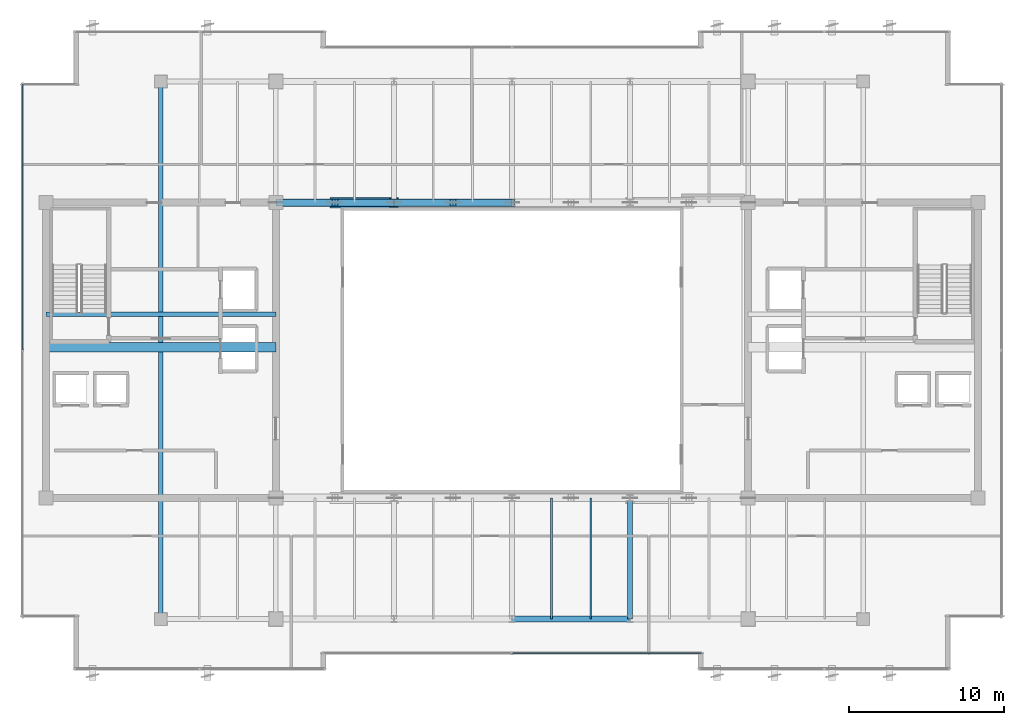
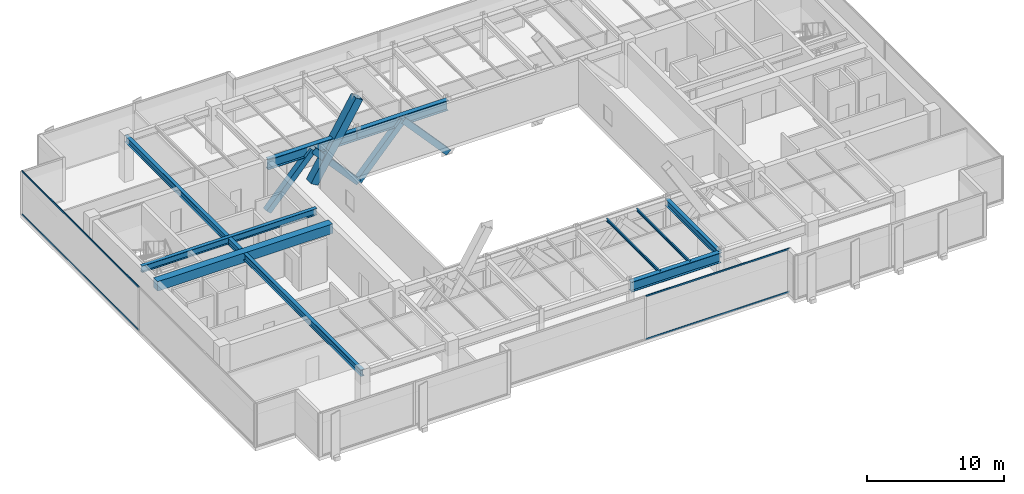
# One storey, part 10 of 32: 9 beams, 9 members, 2 elements without a shape of their own.
"""IFC4 building model written with IfcOpenShell, lengths in metres."""

from ifc_helpers import new_model, si_unit, direction, frame, origin, origin_2d, place, context, subcontext, project, spatial, rectangle, hollow_rectangle, i_section, extrude, source, transform, mapped, material, layer, layer_set, material_profile, profile_set, type_object, type_shapes, element, aggregate, save


model = new_model("IFC4")

# Units and contexts
model_context = context("Model", 3, precision=1e-05, world=origin(), true_north=direction((0.0, 1.0)))
body_context = subcontext(model_context, "Body", "Model", "MODEL_VIEW")
ifc_project = project(units=[si_unit("LENGTHUNIT", "METRE"), si_unit("AREAUNIT", "SQUARE_METRE"), si_unit("VOLUMEUNIT", "CUBIC_METRE"), si_unit("PLANEANGLEUNIT", "RADIAN"), si_unit("MASSUNIT", "GRAM", prefix="KILO")], contexts=[model_context])

# Site, building, storey
site_placement = place(None, origin())
site = spatial("IfcSite", under=ifc_project, at=site_placement, CompositionType="ELEMENT")
building_placement = place(site_placement, origin())
building = spatial("IfcBuilding", under=site, at=building_placement, Name="Haelvirn Gate Laboratories", CompositionType="ELEMENT")
storey_placement = place(building_placement, frame((0.0, 0.0, 306.0)))
storey = spatial("IfcBuildingStorey", under=building, at=storey_placement, Name="L73", CompositionType="ELEMENT", Elevation=306.0)

# Beams
ifc_material_1 = material(Name="Steel SM355", Category="steel")
ifc_material_profile_1 = material_profile(ifc_material_1, i_section(OverallWidth=0.300048828125, OverallDepth=0.587890625, WebThickness=0.011962890625, FlangeThickness=0.02001953125, at=origin_2d()), Name="H-588x300x12x20")
ifc_profile_set_1 = profile_set([ifc_material_profile_1], Name="Steel SM355")
beam_type_1 = type_object("IfcBeamType", Name="BM-G-588", PredefinedType="BEAM", material=ifc_profile_set_1)
shared_shape_1 = source(origin(), body_context, "Body", "SweptSolid", [
    extrude(i_section(OverallWidth=0.300048828125, OverallDepth=0.587890625, WebThickness=0.011962890625, FlangeThickness=0.02001953125, at=origin_2d()), origin(), (0.0, 0.0, 1.0), 14.800048828125),
])
beam_1_placement = place(storey_placement, frame((7.39990234375, 26.6201171875, 3.60595703125), z_axis=(1.0, 0.0, 0.0), x_axis=(0.0, 1.0, 0.0)))
element("IfcBeam", 1, at=beam_1_placement, inside=storey, type_object=beam_type_1, Name="L73 Stair ST1 Landing Header", PredefinedType="BEAM", context=body_context, shape_type="MappedRepresentation", body=[
    mapped(shared_shape_1, transform((0.0, 0.0, 0.0), scale=1.0)),
])
ifc_material_2 = material(Name="Steel SM420", Category="steel")
ifc_material_profile_2 = material_profile(ifc_material_2, i_section(OverallWidth=0.39990234375, OverallDepth=0.89990234375, WebThickness=0.01904296875, FlangeThickness=0.031982421875, at=origin_2d()), Name="H-900x400x19x32")
ifc_profile_set_2 = profile_set([ifc_material_profile_2], Name="Steel SM420")
beam_type_2 = type_object("IfcBeamType", Name="BM-TG-900", PredefinedType="BEAM", material=ifc_profile_set_2)
shared_shape_2 = source(origin(), body_context, "Body", "SweptSolid", [
    extrude(i_section(OverallWidth=0.39990234375, OverallDepth=0.89990234375, WebThickness=0.01904296875, FlangeThickness=0.031982421875, at=origin_2d()), origin(), (0.0, 0.0, 1.0), 7.60009765625),
])
for number, where, z_axis, x_axis, name in (
    (2, (37.39990234375, 7.0, 3.449951171875), (1.0, 0.0, 0.0), (0.0, 1.0, 0.0), "L73 Primary Girder Y7.0 (37.4-45.0)"),
    (3, (22.199951171875, 33.800048828125, 3.449951171875), (1.0, 0.0, 0.0), (0.0, 1.0, 0.0), "L73 Primary Girder Y33.8 (22.2-29.8)"),
):
    element("IfcBeam", number, at=place(storey_placement, frame(where, z_axis=z_axis, x_axis=x_axis)), inside=storey, type_object=beam_type_2, Name=name, PredefinedType="BEAM", context=body_context, shape_type="MappedRepresentation", body=[
        mapped(shared_shape_2, transform((0.0, 0.0, 0.0), scale=1.0)),
    ])
shared_shape_3 = source(origin(), body_context, "Body", "SweptSolid", [
    extrude(i_section(OverallWidth=0.39990234375, OverallDepth=0.89990234375, WebThickness=0.01904296875, FlangeThickness=0.031982421875, at=origin_2d()), origin(), (0.0, 0.0, 1.0), 7.599853515625),
])
type_shapes(beam_type_2, [shared_shape_2, shared_shape_3])
beam_2_placement = place(storey_placement, frame((29.800048828125, 33.800048828125, 3.449951171875), z_axis=(1.0, 0.0, 0.0), x_axis=(0.0, 1.0, 0.0)))
element("IfcBeam", 4, at=beam_2_placement, inside=storey, type_object=beam_type_2, Name="L73 Primary Girder Y33.8 (29.8-37.4)", PredefinedType="BEAM", context=body_context, shape_type="MappedRepresentation", body=[
    mapped(shared_shape_3, transform((0.0, 0.0, 0.0), scale=1.0)),
])
shared_shape_4 = source(origin(), body_context, "Body", "SweptSolid", [
    extrude(i_section(OverallWidth=0.300048828125, OverallDepth=0.587890625, WebThickness=0.011962890625, FlangeThickness=0.02001953125, at=origin_2d()), origin(), (0.0, 0.0, 1.0), 34.60009765625),
])
beam_3_placement = place(storey_placement, frame((14.800048828125, 7.0, 3.60595703125), z_axis=(0.0, 1.0, 0.0), x_axis=(-1.0, 0.0, 0.0)))
element("IfcBeam", 5, at=beam_3_placement, inside=storey, type_object=beam_type_1, Name="L73 Frame Girder X14.8 (7.0-41.6)", PredefinedType="BEAM", context=body_context, shape_type="MappedRepresentation", body=[
    mapped(shared_shape_4, transform((0.0, 0.0, 0.0), scale=1.0)),
])
shared_shape_5 = source(origin(), body_context, "Body", "SweptSolid", [
    extrude(i_section(OverallWidth=0.300048828125, OverallDepth=0.587890625, WebThickness=0.011962890625, FlangeThickness=0.02001953125, at=origin_2d()), origin(), (0.0, 0.0, 1.0), 7.800048828125),
])
type_shapes(beam_type_1, [shared_shape_1, shared_shape_4, shared_shape_5])
beam_4_placement = place(storey_placement, frame((45.0, 7.0, 3.60595703125), z_axis=(0.0, 1.0, 0.0), x_axis=(-1.0, 0.0, 0.0)))
element("IfcBeam", 6, at=beam_4_placement, inside=storey, type_object=beam_type_1, Name="L73 Frame Girder X45.0 (7.0-14.8)", PredefinedType="BEAM", context=body_context, shape_type="MappedRepresentation", body=[
    mapped(shared_shape_5, transform((0.0, 0.0, 0.0), scale=1.0)),
])
ifc_material_3 = material(Name="Concrete C50/60", Category="concrete")
ifc_material_profile_3 = material_profile(ifc_material_3, rectangle(XDim=0.60009765625, YDim=0.85009765625, at=origin_2d()), Name="RCB-600x850")
ifc_profile_set_3 = profile_set([ifc_material_profile_3], Name="Concrete C50/60")
beam_type_3 = type_object("IfcBeamType", Name="BM-RCB-850", PredefinedType="LINTEL", material=ifc_profile_set_3)
shared_shape_6 = source(origin(), body_context, "Body", "SweptSolid", [
    extrude(rectangle(XDim=0.60009765625, YDim=0.85009765625, at=origin_2d()), origin(), (0.0, 0.0, 1.0), 14.800048828125),
])
type_shapes(beam_type_3, [shared_shape_6])
beam_5_placement = place(storey_placement, frame((7.39990234375, 24.5, 3.47509765625), z_axis=(1.0, 0.0, 0.0), x_axis=(0.0, 1.0, 0.0)))
element("IfcBeam", 7, at=beam_5_placement, inside=storey, type_object=beam_type_3, Name="L73 West Core Coupling Beam", PredefinedType="LINTEL", context=body_context, shape_type="MappedRepresentation", body=[
    mapped(shared_shape_6, transform((0.0, 0.0, 0.0), scale=1.0)),
])
ifc_material_profile_4 = material_profile(ifc_material_1, i_section(OverallWidth=0.125, OverallDepth=0.25, WebThickness=0.006103515625, FlangeThickness=0.009033203125, at=origin_2d()), Name="H-250x125x6x9")
ifc_profile_set_4 = profile_set([ifc_material_profile_4], Name="Steel SM355")
beam_type_4 = type_object("IfcBeamType", Name="BM-J-250", PredefinedType="JOIST", material=ifc_profile_set_4)
shared_shape_7 = source(origin(), body_context, "Body", "SweptSolid", [
    extrude(i_section(OverallWidth=0.125, OverallDepth=0.25, WebThickness=0.006103515625, FlangeThickness=0.009033203125, at=origin_2d()), origin(), (0.0, 0.0, 1.0), 7.800048828125),
])
type_shapes(beam_type_4, [shared_shape_7])
for number, where, z_axis, x_axis, name in (
    (8, (39.929931640625, 7.0, 3.77490234375), (0.0, 1.0, 0.0), (-1.0, 0.0, 0.0), "L73 Composite Lab Joist South X39.93"),
    (9, (42.469970703125, 7.0, 3.77490234375), (0.0, 1.0, 0.0), (-1.0, 0.0, 0.0), "L73 Composite Lab Joist South X42.47"),
):
    element("IfcBeam", number, at=place(storey_placement, frame(where, z_axis=z_axis, x_axis=x_axis)), inside=storey, type_object=beam_type_4, Name=name, PredefinedType="JOIST", context=body_context, shape_type="MappedRepresentation", body=[
        mapped(shared_shape_7, transform((0.0, 0.0, 0.0), scale=1.0)),
    ])

# Members
ifc_material_profile_5 = material_profile(ifc_material_2, hollow_rectangle(XDim=0.699951171875, YDim=0.699951171875, WallThickness=0.031982421875, at=origin_2d()), Name="BOX-700x700x32")
ifc_profile_set_5 = profile_set([ifc_material_profile_5], Name="Steel SM420")
member_type_1 = type_object("IfcMemberType", Name="MEM-ARCH-RIB", PredefinedType="CHORD", material=ifc_profile_set_5)
shared_shape_8 = source(origin(), body_context, "Body", "SweptSolid", [
    extrude(hollow_rectangle(XDim=0.699951171875, YDim=0.699951171875, WallThickness=0.031982421875, at=origin_2d()), origin(), (0.0, 0.0, 1.0), 7.38134765625),
])
type_shapes(member_type_1, [shared_shape_8])
member_1_placement = place(storey_placement, frame((26.0, 33.800048828125, 0.45947265625), z_axis=(0.51481187824, 0.0, 0.857303172759), x_axis=(0.0, 1.0, 0.0)))
element("IfcMember", 10, at=member_1_placement, inside=storey, type_object=member_type_1, Name="Parabolic Steel Arch Rib Y33.8 Seg 2", PredefinedType="CHORD", context=body_context, shape_type="MappedRepresentation", body=[
    mapped(shared_shape_8, transform((0.0, 0.0, 0.0), scale=1.0)),
])
ifc_material_profile_6 = material_profile(ifc_material_2, hollow_rectangle(XDim=0.5, YDim=0.5, WallThickness=0.02197265625, at=origin_2d()), Name="BOX-500x500x22")
ifc_profile_set_6 = profile_set([ifc_material_profile_6], Name="Steel SM420")
member_type_2 = type_object("IfcMemberType", Name="MEM-ARCH-WEB", PredefinedType="BRACE", material=ifc_profile_set_6)
shared_shape_9 = source(origin(), body_context, "Body", "SweptSolid", [
    extrude(hollow_rectangle(XDim=0.5, YDim=0.5, WallThickness=0.02197265625, at=origin_2d()), origin(), (0.0, 0.0, 1.0), 5.663818359375),
])
type_shapes(member_type_2, [shared_shape_9])
for number, where, z_axis, x_axis, name in (
    (11, (22.199951171875, 33.800048828125, -0.75), (0.670922353302, 0.0, 0.741527609628), (0.0, 1.0, 0.0), "L73 Arch Truss Chevron Web Y33.8-1A"),
    (12, (26.0, 33.800048828125, 3.449951171875), (0.670922353302, 0.0, -0.741527609628), (0.0, 1.0, 0.0), "L73 Arch Truss Chevron Web Y33.8-1B"),
    (13, (29.800048828125, 33.800048828125, -0.75), (0.670922353302, 0.0, 0.741527609628), (0.0, 1.0, 0.0), "L73 Arch Truss Chevron Web Y33.8-2A"),
    (14, (33.60009765625, 33.800048828125, 3.449951171875), (0.670898650667, 0.0, -0.741549054705), (0.0, 1.0, 0.0), "L73 Arch Truss Chevron Web Y33.8-2B"),
):
    element("IfcMember", number, at=place(storey_placement, frame(where, z_axis=z_axis, x_axis=x_axis)), inside=storey, type_object=member_type_2, Name=name, PredefinedType="BRACE", context=body_context, shape_type="MappedRepresentation", body=[
        mapped(shared_shape_9, transform((0.0, 0.0, 0.0), scale=1.0)),
    ])

# Curtain wall, members
ifc_material_4 = material(Name="Anodised bronze unitised aluminium & triple low-E glass", Category="aluminium")
ifc_layer = layer(ifc_material_4, 0.176025390625, Name="CW-SYS-4")
ifc_layer_set = layer_set([ifc_layer], Name="Anodised bronze unitised aluminium & triple low-E glass")
curtain_wall_type = type_object("IfcCurtainWallType", Name="CW-SYS-4", PredefinedType="NOTDEFINED", material=ifc_layer_set)
curtain_wall_1_placement = place(storey_placement, origin())
curtain_wall_1 = element("IfcCurtainWall", 15, at=curtain_wall_1_placement, inside=storey, type_object=curtain_wall_type, Name="L73 Unitised Curtain Wall CW-L73-P0-E02-1", PredefinedType="NOTDEFINED")
ifc_material_5 = material(Name="Extruded aluminium 6063-T6 (anodised bronze)", Category="aluminium")
ifc_material_profile_7 = material_profile(ifc_material_5, hollow_rectangle(XDim=0.06494140625, YDim=0.139892578125, WallThickness=0.00390625, at=origin_2d()), Name="CWT-140x65x4")
ifc_profile_set_7 = profile_set([ifc_material_profile_7], Name="Extruded aluminium 6063-T6 (anodised bronze)")
member_type_3 = type_object("IfcMemberType", Name="CWT-T140", PredefinedType="USERDEFINED", material=ifc_profile_set_7)
shared_shape_10 = source(origin(), body_context, "Body", "SweptSolid", [
    extrude(hollow_rectangle(XDim=0.06494140625, YDim=0.139892578125, WallThickness=0.00390625, at=origin_2d()), origin(), (0.0, 0.0, 1.0), 12.135009765625),
])
member_2_placement = place(storey_placement, frame((37.43505859375, 4.800048828125, 0.032470703125), z_axis=(1.0, 0.0, 0.0), x_axis=(0.0, 1.0, 0.0)))
member_2 = element("IfcMember", 16, at=member_2_placement, type_object=member_type_3, Name="CW4 transom 2.1", ObjectType="TRANSOM", PredefinedType="USERDEFINED", context=body_context, shape_type="MappedRepresentation", body=[
    mapped(shared_shape_10, transform((0.0, 0.0, 0.0), scale=1.0)),
])
member_3_placement = place(storey_placement, frame((37.43505859375, 4.800048828125, 3.867431640625), z_axis=(1.0, 0.0, 0.0), x_axis=(0.0, 1.0, 0.0)))
member_3 = element("IfcMember", 17, at=member_3_placement, type_object=member_type_3, Name="CW4 transom 2.2", ObjectType="TRANSOM", PredefinedType="USERDEFINED", context=body_context, shape_type="MappedRepresentation", body=[
    mapped(shared_shape_10, transform((0.0, 0.0, 0.0), scale=1.0)),
])
aggregate(curtain_wall_1, [member_2, member_3])

curtain_wall_2_placement = place(storey_placement, origin())
curtain_wall_2 = element("IfcCurtainWall", 18, at=curtain_wall_2_placement, inside=storey, type_object=curtain_wall_type, Name="L73 Unitised Curtain Wall CW-L73-P0-E17", PredefinedType="NOTDEFINED")
shared_shape_11 = source(origin(), body_context, "Body", "SweptSolid", [
    extrude(hollow_rectangle(XDim=0.06494140625, YDim=0.139892578125, WallThickness=0.00390625, at=origin_2d()), origin(), (0.0, 0.0, 1.0), 17.094970703125),
])
type_shapes(member_type_3, [shared_shape_10, shared_shape_11])
member_4_placement = place(storey_placement, frame((5.89990234375, 41.429931640625, 0.032470703125), z_axis=(0.0, -1.0, 0.0), x_axis=(1.0, 0.0, 0.0)))
member_4 = element("IfcMember", 19, at=member_4_placement, type_object=member_type_3, Name="CW4 transom 1.1", ObjectType="TRANSOM", PredefinedType="USERDEFINED", context=body_context, shape_type="MappedRepresentation", body=[
    mapped(shared_shape_11, transform((0.0, 0.0, 0.0), scale=1.0)),
])
member_5_placement = place(storey_placement, frame((5.89990234375, 41.429931640625, 3.867431640625), z_axis=(0.0, -1.0, 0.0), x_axis=(1.0, 0.0, 0.0)))
member_5 = element("IfcMember", 20, at=member_5_placement, type_object=member_type_3, Name="CW4 transom 1.2", ObjectType="TRANSOM", PredefinedType="USERDEFINED", context=body_context, shape_type="MappedRepresentation", body=[
    mapped(shared_shape_11, transform((0.0, 0.0, 0.0), scale=1.0)),
])
aggregate(curtain_wall_2, [member_4, member_5])

save(model, "model.ifc")
